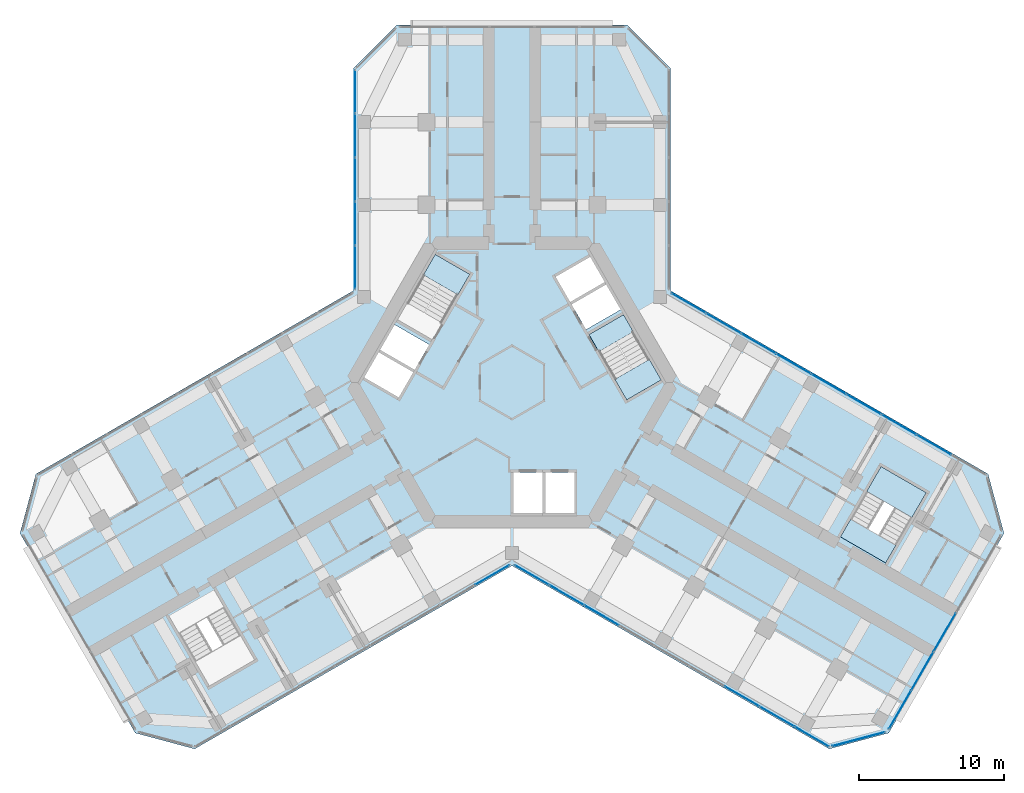
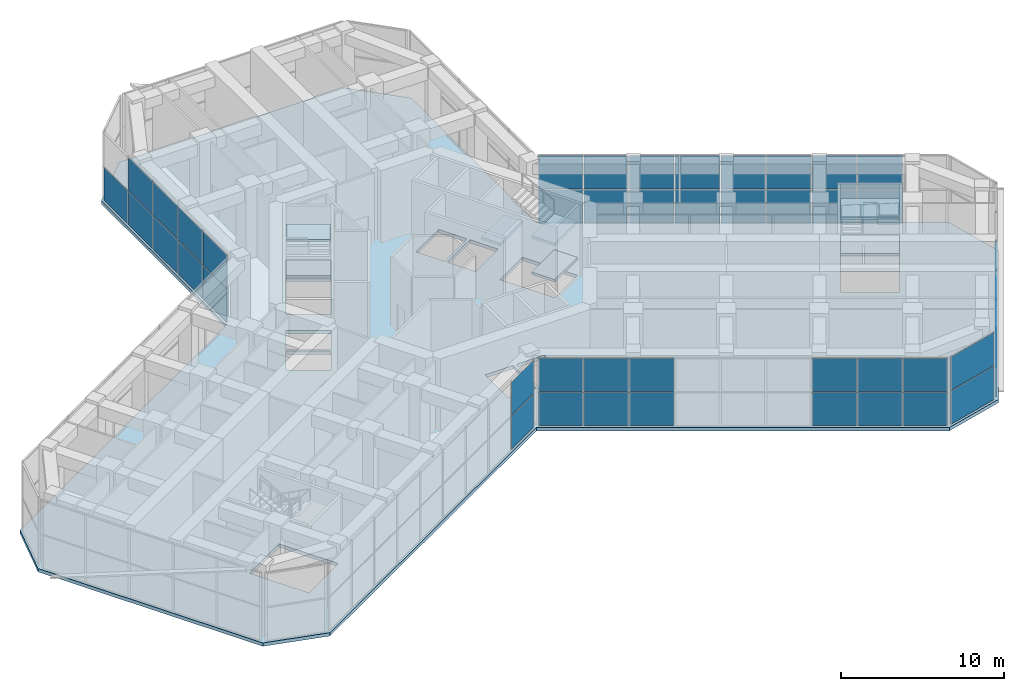
# One storey, part 12 of 20: 47 plates, 9 slabs, 9 elements without a shape of their own.
"""IFC4 building model written with IfcOpenShell, lengths in metres."""

from ifc_helpers import new_model, si_unit, direction, frame, origin, origin_2d, place, context, subcontext, project, spatial, polyline, rectangle, outline, extrude, material, layer, layer_set, type_object, element, aggregate, save


model = new_model("IFC4")

# Units and contexts
model_context = context("Model", 3, precision=1e-05, world=origin(), true_north=direction((0.0, 1.0)))
body_context = subcontext(model_context, "Body", "Model", "MODEL_VIEW")
ifc_project = project(units=[si_unit("LENGTHUNIT", "METRE"), si_unit("AREAUNIT", "SQUARE_METRE"), si_unit("VOLUMEUNIT", "CUBIC_METRE"), si_unit("PLANEANGLEUNIT", "RADIAN"), si_unit("MASSUNIT", "GRAM", prefix="KILO")], contexts=[model_context])

# Site, building, storey
site_placement = place(None, origin())
site = spatial("IfcSite", under=ifc_project, at=site_placement, CompositionType="ELEMENT")
building_placement = place(site_placement, origin())
building = spatial("IfcBuilding", under=site, at=building_placement, Name="Kosmar Iwan School Tower", CompositionType="ELEMENT")
storey_placement = place(building_placement, frame((0.0, 0.0, 152.60009765625)))
storey = spatial("IfcBuildingStorey", under=building, at=storey_placement, Name="L38", CompositionType="ELEMENT", Elevation=152.60009765625)

# Curtain wall, plates
ifc_material_1 = material(Name="Dark glass in black aluminium frame", Category="aluminium")
curtain_wall_type_1 = type_object("IfcCurtainWallType", Name="Winter garden curtain wall", PredefinedType="USERDEFINED", material=ifc_material_1)
curtain_wall_1_placement = place(storey_placement, origin())
curtain_wall_1 = element("IfcCurtainWall", 1, at=curtain_wall_1_placement, inside=storey, type_object=curtain_wall_type_1, Name="Curtain wall L38-F00", ObjectType="WINTER GARDEN CURTAIN WALL", PredefinedType="USERDEFINED")
ifc_material_2 = material(Name="Dark glass", Category="glass")
ifc_layer_1 = layer(ifc_material_2, 0.028076171875)
ifc_layer_set_1 = layer_set([ifc_layer_1], Name="Dark glass panel 28")
plate_type = type_object("IfcPlateType", Name="Dark glass panel 28", PredefinedType="CURTAIN_PANEL", material=ifc_layer_set_1)
plate_1_placement = place(storey_placement, frame((-1.3603515625, -13.284912109375, 0.06005859375), z_axis=(0.0, 0.0, 1.0), x_axis=(-0.866025395189, -0.500000014888, 0.0)))
plate_1 = element("IfcPlate", 2, at=plate_1_placement, type_object=plate_type, Name="CW7 panel 1.1", PredefinedType="CURTAIN_PANEL", context=body_context, shape_type="SweptSolid", body=[
    extrude(rectangle(XDim=2.703369140625, YDim=0.028076171875, at=origin_2d()), origin(), (0.0, 0.0, 1.0), 2.485107421875),
])
plate_2_placement = place(storey_placement, frame((-1.3603515625, -13.284912109375, 2.60498046875), z_axis=(0.0, 0.0, 1.0), x_axis=(-0.866025395189, -0.500000014888, 0.0)))
plate_2 = element("IfcPlate", 3, at=plate_2_placement, type_object=plate_type, Name="CW7 panel 1.2", PredefinedType="CURTAIN_PANEL", context=body_context, shape_type="SweptSolid", body=[
    extrude(rectangle(XDim=2.703369140625, YDim=0.028076171875, at=origin_2d()), origin(), (0.0, 0.0, 1.0), 2.485107421875),
])
aggregate(curtain_wall_1, [plate_1, plate_2])

curtain_wall_2_placement = place(storey_placement, origin())
curtain_wall_2 = element("IfcCurtainWall", 4, at=curtain_wall_2_placement, inside=storey, type_object=curtain_wall_type_1, Name="Curtain wall L38-F01", ObjectType="WINTER GARDEN CURTAIN WALL", PredefinedType="USERDEFINED")
plate_3_placement = place(storey_placement, frame((1.3603515625, -13.284912109375, 0.06005859375), z_axis=(0.0, 0.0, 1.0), x_axis=(0.866025395189, -0.500000014888, 0.0)))
plate_3 = element("IfcPlate", 5, at=plate_3_placement, type_object=plate_type, Name="CW7 panel 1.1", PredefinedType="CURTAIN_PANEL", context=body_context, shape_type="SweptSolid", body=[
    extrude(rectangle(XDim=2.703369140625, YDim=0.028076171875, at=origin_2d()), origin(), (0.0, 0.0, 1.0), 2.485107421875),
])
plate_4_placement = place(storey_placement, frame((1.3603515625, -13.284912109375, 2.60498046875), z_axis=(0.0, 0.0, 1.0), x_axis=(0.866025395189, -0.500000014888, 0.0)))
plate_4 = element("IfcPlate", 6, at=plate_4_placement, type_object=plate_type, Name="CW7 panel 1.2", PredefinedType="CURTAIN_PANEL", context=body_context, shape_type="SweptSolid", body=[
    extrude(rectangle(XDim=2.703369140625, YDim=0.028076171875, at=origin_2d()), origin(), (0.0, 0.0, 1.0), 2.485107421875),
])
plate_5_placement = place(storey_placement, frame((3.766357421875, -14.674072265625, 0.06005859375), z_axis=(0.0, 0.0, 1.0), x_axis=(0.866025395189, -0.500000014888, 0.0)))
plate_5 = element("IfcPlate", 7, at=plate_5_placement, type_object=plate_type, Name="CW7 panel 2.1", PredefinedType="CURTAIN_PANEL", context=body_context, shape_type="SweptSolid", body=[
    extrude(rectangle(XDim=2.733154296875, YDim=0.028076171875, at=origin_2d()), origin(), (0.0, 0.0, 1.0), 2.485107421875),
])
plate_6_placement = place(storey_placement, frame((3.766357421875, -14.674072265625, 2.60498046875), z_axis=(0.0, 0.0, 1.0), x_axis=(0.866025395189, -0.500000014888, 0.0)))
plate_6 = element("IfcPlate", 8, at=plate_6_placement, type_object=plate_type, Name="CW7 panel 2.2", PredefinedType="CURTAIN_PANEL", context=body_context, shape_type="SweptSolid", body=[
    extrude(rectangle(XDim=2.733154296875, YDim=0.028076171875, at=origin_2d()), origin(), (0.0, 0.0, 1.0), 2.485107421875),
])
plate_7_placement = place(storey_placement, frame((6.185302734375, -16.07080078125, 0.06005859375), z_axis=(0.0, 0.0, 1.0), x_axis=(0.866025395189, -0.500000014888, 0.0)))
plate_7 = element("IfcPlate", 9, at=plate_7_placement, type_object=plate_type, Name="CW7 panel 3.1", PredefinedType="CURTAIN_PANEL", context=body_context, shape_type="SweptSolid", body=[
    extrude(rectangle(XDim=2.733154296875, YDim=0.028076171875, at=origin_2d()), origin(), (0.0, 0.0, 1.0), 2.485107421875),
])
plate_8_placement = place(storey_placement, frame((6.185302734375, -16.07080078125, 2.60498046875), z_axis=(0.0, 0.0, 1.0), x_axis=(0.866025395189, -0.500000014888, 0.0)))
plate_8 = element("IfcPlate", 10, at=plate_8_placement, type_object=plate_type, Name="CW7 panel 3.2", PredefinedType="CURTAIN_PANEL", context=body_context, shape_type="SweptSolid", body=[
    extrude(rectangle(XDim=2.733154296875, YDim=0.028076171875, at=origin_2d()), origin(), (0.0, 0.0, 1.0), 2.485107421875),
])
plate_9_placement = place(storey_placement, frame((15.861572265625, -21.6572265625, 0.06005859375), z_axis=(0.0, 0.0, 1.0), x_axis=(0.866025395189, -0.500000014888, 0.0)))
plate_9 = element("IfcPlate", 11, at=plate_9_placement, type_object=plate_type, Name="CW7 panel 7.1", PredefinedType="CURTAIN_PANEL", context=body_context, shape_type="SweptSolid", body=[
    extrude(rectangle(XDim=2.733154296875, YDim=0.028076171875, at=origin_2d()), origin(), (0.0, 0.0, 1.0), 2.485107421875),
])
plate_10_placement = place(storey_placement, frame((15.861572265625, -21.6572265625, 2.60498046875), z_axis=(0.0, 0.0, 1.0), x_axis=(0.866025395189, -0.500000014888, 0.0)))
plate_10 = element("IfcPlate", 12, at=plate_10_placement, type_object=plate_type, Name="CW7 panel 7.2", PredefinedType="CURTAIN_PANEL", context=body_context, shape_type="SweptSolid", body=[
    extrude(rectangle(XDim=2.733154296875, YDim=0.028076171875, at=origin_2d()), origin(), (0.0, 0.0, 1.0), 2.485107421875),
])
plate_11_placement = place(storey_placement, frame((18.280517578125, -23.053955078125, 0.06005859375), z_axis=(0.0, 0.0, 1.0), x_axis=(0.866025395189, -0.500000014888, 0.0)))
plate_11 = element("IfcPlate", 13, at=plate_11_placement, type_object=plate_type, Name="CW7 panel 8.1", PredefinedType="CURTAIN_PANEL", context=body_context, shape_type="SweptSolid", body=[
    extrude(rectangle(XDim=2.733154296875, YDim=0.028076171875, at=origin_2d()), origin(), (0.0, 0.0, 1.0), 2.485107421875),
])
plate_12_placement = place(storey_placement, frame((18.280517578125, -23.053955078125, 2.60498046875), z_axis=(0.0, 0.0, 1.0), x_axis=(0.866025395189, -0.500000014888, 0.0)))
plate_12 = element("IfcPlate", 14, at=plate_12_placement, type_object=plate_type, Name="CW7 panel 8.2", PredefinedType="CURTAIN_PANEL", context=body_context, shape_type="SweptSolid", body=[
    extrude(rectangle(XDim=2.733154296875, YDim=0.028076171875, at=origin_2d()), origin(), (0.0, 0.0, 1.0), 2.485107421875),
])
plate_13_placement = place(storey_placement, frame((20.6865234375, -24.443115234375, 0.06005859375), z_axis=(0.0, 0.0, 1.0), x_axis=(0.866025395189, -0.500000014888, 0.0)))
plate_13 = element("IfcPlate", 15, at=plate_13_placement, type_object=plate_type, Name="CW7 panel 9.1", PredefinedType="CURTAIN_PANEL", context=body_context, shape_type="SweptSolid", body=[
    extrude(rectangle(XDim=2.703369140625, YDim=0.028076171875, at=origin_2d()), origin(), (0.0, 0.0, 1.0), 2.485107421875),
])
plate_14_placement = place(storey_placement, frame((20.6865234375, -24.443115234375, 2.60498046875), z_axis=(0.0, 0.0, 1.0), x_axis=(0.866025395189, -0.500000014888, 0.0)))
plate_14 = element("IfcPlate", 16, at=plate_14_placement, type_object=plate_type, Name="CW7 panel 9.2", PredefinedType="CURTAIN_PANEL", context=body_context, shape_type="SweptSolid", body=[
    extrude(rectangle(XDim=2.703369140625, YDim=0.028076171875, at=origin_2d()), origin(), (0.0, 0.0, 1.0), 2.485107421875),
])
aggregate(curtain_wall_2, [plate_3, plate_4, plate_5, plate_6, plate_7, plate_8, plate_9, plate_10, plate_11, plate_12, plate_13, plate_14])

ifc_material_3 = material(Name="Dark glass in black aluminium frame", Category="aluminium")
curtain_wall_type_2 = type_object("IfcCurtainWallType", Name="Chamfer curtain wall dark glass", PredefinedType="USERDEFINED", material=ifc_material_3)
curtain_wall_3_placement = place(storey_placement, origin())
curtain_wall_3 = element("IfcCurtainWall", 17, at=curtain_wall_3_placement, inside=storey, type_object=curtain_wall_type_2, Name="Curtain wall L38-F02", ObjectType="FACETED CURTAIN WALL", PredefinedType="USERDEFINED")
plate_15_placement = place(storey_placement, frame((23.908203125, -24.61328125, 0.06005859375), z_axis=(0.0, 0.0, 1.0), x_axis=(0.965925875495, 0.258818861462, 0.0)))
plate_15 = element("IfcPlate", 18, at=plate_15_placement, type_object=plate_type, Name="CW2 panel 1.1", PredefinedType="CURTAIN_PANEL", context=body_context, shape_type="SweptSolid", body=[
    extrude(rectangle(XDim=3.718994140625, YDim=0.028076171875, at=origin_2d()), origin(), (0.0, 0.0, 1.0), 2.485107421875),
])
plate_16_placement = place(storey_placement, frame((23.908203125, -24.61328125, 2.60498046875), z_axis=(0.0, 0.0, 1.0), x_axis=(0.965925875495, 0.258818861462, 0.0)))
plate_16 = element("IfcPlate", 19, at=plate_16_placement, type_object=plate_type, Name="CW2 panel 1.2", PredefinedType="CURTAIN_PANEL", context=body_context, shape_type="SweptSolid", body=[
    extrude(rectangle(XDim=3.718994140625, YDim=0.028076171875, at=origin_2d()), origin(), (0.0, 0.0, 1.0), 2.485107421875),
])
aggregate(curtain_wall_3, [plate_15, plate_16])

ifc_material_4 = material(Name="Dark glass in black aluminium frame", Category="aluminium")
curtain_wall_type_3 = type_object("IfcCurtainWallType", Name="Tower curtain wall dark glass", PredefinedType="USERDEFINED", material=ifc_material_4)
curtain_wall_4_placement = place(storey_placement, origin())
curtain_wall_4 = element("IfcCurtainWall", 20, at=curtain_wall_4_placement, inside=storey, type_object=curtain_wall_type_3, Name="Curtain wall L38-F03", ObjectType="UNITISED CURTAIN WALL", PredefinedType="USERDEFINED")
plate_17_placement = place(storey_placement, frame((26.764404296875, -22.592529296875, 0.06005859375), z_axis=(0.0, 0.0, 1.0), x_axis=(0.499999997325, 0.866025405329, 0.0)))
plate_17 = element("IfcPlate", 21, at=plate_17_placement, type_object=plate_type, Name="CW1 panel 1.1", PredefinedType="CURTAIN_PANEL", context=body_context, shape_type="SweptSolid", body=[
    extrude(rectangle(XDim=3.00927734375, YDim=0.028076171875, at=origin_2d()), origin(), (0.0, 0.0, 1.0), 2.485107421875),
])
plate_18_placement = place(storey_placement, frame((26.764404296875, -22.592529296875, 2.60498046875), z_axis=(0.0, 0.0, 1.0), x_axis=(0.499999997325, 0.866025405329, 0.0)))
plate_18 = element("IfcPlate", 22, at=plate_18_placement, type_object=plate_type, Name="CW1 panel 1.2", PredefinedType="CURTAIN_PANEL", context=body_context, shape_type="SweptSolid", body=[
    extrude(rectangle(XDim=3.00927734375, YDim=0.028076171875, at=origin_2d()), origin(), (0.0, 0.0, 1.0), 2.485107421875),
])
plate_19_placement = place(storey_placement, frame((28.306640625, -19.921630859375, 0.06005859375), z_axis=(0.0, 0.0, 1.0), x_axis=(0.499999997325, 0.866025405329, 0.0)))
plate_19 = element("IfcPlate", 23, at=plate_19_placement, type_object=plate_type, Name="CW1 panel 2.1", PredefinedType="CURTAIN_PANEL", context=body_context, shape_type="SweptSolid", body=[
    extrude(rectangle(XDim=3.039306640625, YDim=0.028076171875, at=origin_2d()), origin(), (0.0, 0.0, 1.0), 2.485107421875),
])
plate_20_placement = place(storey_placement, frame((28.306640625, -19.921630859375, 2.60498046875), z_axis=(0.0, 0.0, 1.0), x_axis=(0.499999997325, 0.866025405329, 0.0)))
plate_20 = element("IfcPlate", 24, at=plate_20_placement, type_object=plate_type, Name="CW1 panel 2.2", PredefinedType="CURTAIN_PANEL", context=body_context, shape_type="SweptSolid", body=[
    extrude(rectangle(XDim=3.039306640625, YDim=0.028076171875, at=origin_2d()), origin(), (0.0, 0.0, 1.0), 2.485107421875),
])
plate_21_placement = place(storey_placement, frame((29.856201171875, -17.237548828125, 0.06005859375), z_axis=(0.0, 0.0, 1.0), x_axis=(0.499999997325, 0.866025405329, 0.0)))
plate_21 = element("IfcPlate", 25, at=plate_21_placement, type_object=plate_type, Name="CW1 panel 3.1", PredefinedType="CURTAIN_PANEL", context=body_context, shape_type="SweptSolid", body=[
    extrude(rectangle(XDim=3.039306640625, YDim=0.028076171875, at=origin_2d()), origin(), (0.0, 0.0, 1.0), 2.485107421875),
])
plate_22_placement = place(storey_placement, frame((29.856201171875, -17.237548828125, 2.60498046875), z_axis=(0.0, 0.0, 1.0), x_axis=(0.499999997325, 0.866025405329, 0.0)))
plate_22 = element("IfcPlate", 26, at=plate_22_placement, type_object=plate_type, Name="CW1 panel 3.2", PredefinedType="CURTAIN_PANEL", context=body_context, shape_type="SweptSolid", body=[
    extrude(rectangle(XDim=3.039306640625, YDim=0.028076171875, at=origin_2d()), origin(), (0.0, 0.0, 1.0), 2.485107421875),
])
aggregate(curtain_wall_4, [plate_17, plate_18, plate_19, plate_20, plate_21, plate_22])

curtain_wall_5_placement = place(storey_placement, origin())
curtain_wall_5 = element("IfcCurtainWall", 27, at=curtain_wall_5_placement, inside=storey, type_object=curtain_wall_type_1, Name="Curtain wall L38-F05", ObjectType="WINTER GARDEN CURTAIN WALL", PredefinedType="USERDEFINED")
plate_23_placement = place(storey_placement, frame((12.185302734375, 5.46435546875, 0.06005859375), z_axis=(0.0, 0.0, 1.0), x_axis=(0.866025395189, -0.500000014888, 0.0)))
plate_23 = element("IfcPlate", 28, at=plate_23_placement, type_object=plate_type, Name="CW7 panel 1.1", PredefinedType="CURTAIN_PANEL", context=body_context, shape_type="SweptSolid", body=[
    extrude(rectangle(XDim=2.703369140625, YDim=0.028076171875, at=origin_2d()), origin(), (0.0, 0.0, 1.0), 2.485107421875),
])
plate_24_placement = place(storey_placement, frame((12.185302734375, 5.46435546875, 2.60498046875), z_axis=(0.0, 0.0, 1.0), x_axis=(0.866025395189, -0.500000014888, 0.0)))
plate_24 = element("IfcPlate", 29, at=plate_24_placement, type_object=plate_type, Name="CW7 panel 1.2", PredefinedType="CURTAIN_PANEL", context=body_context, shape_type="SweptSolid", body=[
    extrude(rectangle(XDim=2.703369140625, YDim=0.028076171875, at=origin_2d()), origin(), (0.0, 0.0, 1.0), 2.485107421875),
])
plate_25_placement = place(storey_placement, frame((14.59130859375, 4.0751953125, 0.06005859375), z_axis=(0.0, 0.0, 1.0), x_axis=(0.866025395189, -0.500000014888, 0.0)))
plate_25 = element("IfcPlate", 30, at=plate_25_placement, type_object=plate_type, Name="CW7 panel 2.1", PredefinedType="CURTAIN_PANEL", context=body_context, shape_type="SweptSolid", body=[
    extrude(rectangle(XDim=2.733154296875, YDim=0.028076171875, at=origin_2d()), origin(), (0.0, 0.0, 1.0), 2.485107421875),
])
plate_26_placement = place(storey_placement, frame((14.59130859375, 4.0751953125, 2.60498046875), z_axis=(0.0, 0.0, 1.0), x_axis=(0.866025395189, -0.500000014888, 0.0)))
plate_26 = element("IfcPlate", 31, at=plate_26_placement, type_object=plate_type, Name="CW7 panel 2.2", PredefinedType="CURTAIN_PANEL", context=body_context, shape_type="SweptSolid", body=[
    extrude(rectangle(XDim=2.733154296875, YDim=0.028076171875, at=origin_2d()), origin(), (0.0, 0.0, 1.0), 2.485107421875),
])
plate_27_placement = place(storey_placement, frame((17.010498046875, 2.6787109375, 0.06005859375), z_axis=(0.0, 0.0, 1.0), x_axis=(0.866025395189, -0.500000014888, 0.0)))
plate_27 = element("IfcPlate", 32, at=plate_27_placement, type_object=plate_type, Name="CW7 panel 3.1", PredefinedType="CURTAIN_PANEL", context=body_context, shape_type="SweptSolid", body=[
    extrude(rectangle(XDim=2.733154296875, YDim=0.028076171875, at=origin_2d()), origin(), (0.0, 0.0, 1.0), 2.485107421875),
])
plate_28_placement = place(storey_placement, frame((17.010498046875, 2.6787109375, 2.60498046875), z_axis=(0.0, 0.0, 1.0), x_axis=(0.866025395189, -0.500000014888, 0.0)))
plate_28 = element("IfcPlate", 33, at=plate_28_placement, type_object=plate_type, Name="CW7 panel 3.2", PredefinedType="CURTAIN_PANEL", context=body_context, shape_type="SweptSolid", body=[
    extrude(rectangle(XDim=2.733154296875, YDim=0.028076171875, at=origin_2d()), origin(), (0.0, 0.0, 1.0), 2.485107421875),
])
plate_29_placement = place(storey_placement, frame((19.429443359375, 1.281982421875, 0.06005859375), z_axis=(0.0, 0.0, 1.0), x_axis=(0.866025395189, -0.500000014888, 0.0)))
plate_29 = element("IfcPlate", 34, at=plate_29_placement, type_object=plate_type, Name="CW7 panel 4.1", PredefinedType="CURTAIN_PANEL", context=body_context, shape_type="SweptSolid", body=[
    extrude(rectangle(XDim=2.733154296875, YDim=0.028076171875, at=origin_2d()), origin(), (0.0, 0.0, 1.0), 2.485107421875),
])
plate_30_placement = place(storey_placement, frame((19.429443359375, 1.281982421875, 2.60498046875), z_axis=(0.0, 0.0, 1.0), x_axis=(0.866025395189, -0.500000014888, 0.0)))
plate_30 = element("IfcPlate", 35, at=plate_30_placement, type_object=plate_type, Name="CW7 panel 4.2", PredefinedType="CURTAIN_PANEL", context=body_context, shape_type="SweptSolid", body=[
    extrude(rectangle(XDim=2.733154296875, YDim=0.028076171875, at=origin_2d()), origin(), (0.0, 0.0, 1.0), 2.485107421875),
])
plate_31_placement = place(storey_placement, frame((21.848388671875, -0.114501953125, 0.06005859375), z_axis=(0.0, 0.0, 1.0), x_axis=(0.866025395189, -0.500000014888, 0.0)))
plate_31 = element("IfcPlate", 36, at=plate_31_placement, type_object=plate_type, Name="CW7 panel 5.1", PredefinedType="CURTAIN_PANEL", context=body_context, shape_type="SweptSolid", body=[
    extrude(rectangle(XDim=2.733154296875, YDim=0.028076171875, at=origin_2d()), origin(), (0.0, 0.0, 1.0), 2.485107421875),
])
plate_32_placement = place(storey_placement, frame((21.848388671875, -0.114501953125, 2.60498046875), z_axis=(0.0, 0.0, 1.0), x_axis=(0.866025395189, -0.500000014888, 0.0)))
plate_32 = element("IfcPlate", 37, at=plate_32_placement, type_object=plate_type, Name="CW7 panel 5.2", PredefinedType="CURTAIN_PANEL", context=body_context, shape_type="SweptSolid", body=[
    extrude(rectangle(XDim=2.733154296875, YDim=0.028076171875, at=origin_2d()), origin(), (0.0, 0.0, 1.0), 2.485107421875),
])
plate_33_placement = place(storey_placement, frame((24.267578125, -1.51123046875, 0.06005859375), z_axis=(0.0, 0.0, 1.0), x_axis=(0.866025395189, -0.500000014888, 0.0)))
plate_33 = element("IfcPlate", 38, at=plate_33_placement, type_object=plate_type, Name="CW7 panel 6.1", PredefinedType="CURTAIN_PANEL", context=body_context, shape_type="SweptSolid", body=[
    extrude(rectangle(XDim=2.733154296875, YDim=0.028076171875, at=origin_2d()), origin(), (0.0, 0.0, 1.0), 2.485107421875),
])
plate_34_placement = place(storey_placement, frame((24.267578125, -1.51123046875, 2.60498046875), z_axis=(0.0, 0.0, 1.0), x_axis=(0.866025395189, -0.500000014888, 0.0)))
plate_34 = element("IfcPlate", 39, at=plate_34_placement, type_object=plate_type, Name="CW7 panel 6.2", PredefinedType="CURTAIN_PANEL", context=body_context, shape_type="SweptSolid", body=[
    extrude(rectangle(XDim=2.733154296875, YDim=0.028076171875, at=origin_2d()), origin(), (0.0, 0.0, 1.0), 2.485107421875),
])
plate_35_placement = place(storey_placement, frame((26.6865234375, -2.90771484375, 0.06005859375), z_axis=(0.0, 0.0, 1.0), x_axis=(0.866025395189, -0.500000014888, 0.0)))
plate_35 = element("IfcPlate", 40, at=plate_35_placement, type_object=plate_type, Name="CW7 panel 7.1", PredefinedType="CURTAIN_PANEL", context=body_context, shape_type="SweptSolid", body=[
    extrude(rectangle(XDim=2.733154296875, YDim=0.028076171875, at=origin_2d()), origin(), (0.0, 0.0, 1.0), 2.485107421875),
])
plate_36_placement = place(storey_placement, frame((26.6865234375, -2.90771484375, 2.60498046875), z_axis=(0.0, 0.0, 1.0), x_axis=(0.866025395189, -0.500000014888, 0.0)))
plate_36 = element("IfcPlate", 41, at=plate_36_placement, type_object=plate_type, Name="CW7 panel 7.2", PredefinedType="CURTAIN_PANEL", context=body_context, shape_type="SweptSolid", body=[
    extrude(rectangle(XDim=2.733154296875, YDim=0.028076171875, at=origin_2d()), origin(), (0.0, 0.0, 1.0), 2.485107421875),
])
plate_37_placement = place(storey_placement, frame((29.10546875, -4.304443359375, 0.06005859375), z_axis=(0.0, 0.0, 1.0), x_axis=(0.866025395189, -0.500000014888, 0.0)))
plate_37 = element("IfcPlate", 42, at=plate_37_placement, type_object=plate_type, Name="CW7 panel 8.1", PredefinedType="CURTAIN_PANEL", context=body_context, shape_type="SweptSolid", body=[
    extrude(rectangle(XDim=2.733154296875, YDim=0.028076171875, at=origin_2d()), origin(), (0.0, 0.0, 1.0), 2.485107421875),
])
plate_38_placement = place(storey_placement, frame((29.10546875, -4.304443359375, 2.60498046875), z_axis=(0.0, 0.0, 1.0), x_axis=(0.866025395189, -0.500000014888, 0.0)))
plate_38 = element("IfcPlate", 43, at=plate_38_placement, type_object=plate_type, Name="CW7 panel 8.2", PredefinedType="CURTAIN_PANEL", context=body_context, shape_type="SweptSolid", body=[
    extrude(rectangle(XDim=2.733154296875, YDim=0.028076171875, at=origin_2d()), origin(), (0.0, 0.0, 1.0), 2.485107421875),
])
aggregate(curtain_wall_5, [plate_23, plate_24, plate_25, plate_26, plate_27, plate_28, plate_29, plate_30, plate_31, plate_32, plate_33, plate_34, plate_35, plate_36, plate_37, plate_38])

curtain_wall_6_placement = place(storey_placement, origin())
curtain_wall_6 = element("IfcCurtainWall", 44, at=curtain_wall_6_placement, inside=storey, type_object=curtain_wall_type_1, Name="Curtain wall L38-F10", ObjectType="WINTER GARDEN CURTAIN WALL", PredefinedType="USERDEFINED")
plate_39_placement = place(storey_placement, frame((-10.824951171875, 7.94287109375, 0.06005859375), z_axis=(0.0, 0.0, 1.0), x_axis=(0.0, 1.0, 0.0)))
plate_39 = element("IfcPlate", 45, at=plate_39_placement, type_object=plate_type, Name="CW7 panel 1.1", PredefinedType="CURTAIN_PANEL", context=body_context, shape_type="SweptSolid", body=[
    extrude(rectangle(XDim=2.94775390625, YDim=0.028076171875, at=origin_2d()), origin(), (0.0, 0.0, 1.0), 2.485107421875),
])
plate_40_placement = place(storey_placement, frame((-10.824951171875, 7.94287109375, 2.60498046875), z_axis=(0.0, 0.0, 1.0), x_axis=(0.0, 1.0, 0.0)))
plate_40 = element("IfcPlate", 46, at=plate_40_placement, type_object=plate_type, Name="CW7 panel 1.2", PredefinedType="CURTAIN_PANEL", context=body_context, shape_type="SweptSolid", body=[
    extrude(rectangle(XDim=2.94775390625, YDim=0.028076171875, at=origin_2d()), origin(), (0.0, 0.0, 1.0), 2.485107421875),
])
plate_41_placement = place(storey_placement, frame((-10.824951171875, 10.9658203125, 0.06005859375), z_axis=(0.0, 0.0, 1.0), x_axis=(0.0, 1.0, 0.0)))
plate_41 = element("IfcPlate", 47, at=plate_41_placement, type_object=plate_type, Name="CW7 panel 2.1", PredefinedType="CURTAIN_PANEL", context=body_context, shape_type="SweptSolid", body=[
    extrude(rectangle(XDim=2.977783203125, YDim=0.028076171875, at=origin_2d()), origin(), (0.0, 0.0, 1.0), 2.485107421875),
])
plate_42_placement = place(storey_placement, frame((-10.824951171875, 10.9658203125, 2.60498046875), z_axis=(0.0, 0.0, 1.0), x_axis=(0.0, 1.0, 0.0)))
plate_42 = element("IfcPlate", 48, at=plate_42_placement, type_object=plate_type, Name="CW7 panel 2.2", PredefinedType="CURTAIN_PANEL", context=body_context, shape_type="SweptSolid", body=[
    extrude(rectangle(XDim=2.977783203125, YDim=0.028076171875, at=origin_2d()), origin(), (0.0, 0.0, 1.0), 2.485107421875),
])
plate_43_placement = place(storey_placement, frame((-10.824951171875, 14.003662109375, 0.06005859375), z_axis=(0.0, 0.0, 1.0), x_axis=(0.0, 1.0, 0.0)))
plate_43 = element("IfcPlate", 49, at=plate_43_placement, type_object=plate_type, Name="CW7 panel 3.1", PredefinedType="CURTAIN_PANEL", context=body_context, shape_type="SweptSolid", body=[
    extrude(rectangle(XDim=2.977783203125, YDim=0.028076171875, at=origin_2d()), origin(), (0.0, 0.0, 1.0), 2.485107421875),
])
plate_44_placement = place(storey_placement, frame((-10.824951171875, 14.003662109375, 2.60498046875), z_axis=(0.0, 0.0, 1.0), x_axis=(0.0, 1.0, 0.0)))
plate_44 = element("IfcPlate", 50, at=plate_44_placement, type_object=plate_type, Name="CW7 panel 3.2", PredefinedType="CURTAIN_PANEL", context=body_context, shape_type="SweptSolid", body=[
    extrude(rectangle(XDim=2.977783203125, YDim=0.028076171875, at=origin_2d()), origin(), (0.0, 0.0, 1.0), 2.485107421875),
])
plate_45_placement = place(storey_placement, frame((-10.824951171875, 17.04150390625, 0.06005859375), z_axis=(0.0, 0.0, 1.0), x_axis=(0.0, 1.0, 0.0)))
plate_45 = element("IfcPlate", 51, at=plate_45_placement, type_object=plate_type, Name="CW7 panel 4.1", PredefinedType="CURTAIN_PANEL", context=body_context, shape_type="SweptSolid", body=[
    extrude(rectangle(XDim=2.977783203125, YDim=0.028076171875, at=origin_2d()), origin(), (0.0, 0.0, 1.0), 2.485107421875),
])
plate_46_placement = place(storey_placement, frame((-10.824951171875, 17.04150390625, 2.60498046875), z_axis=(0.0, 0.0, 1.0), x_axis=(0.0, 1.0, 0.0)))
plate_46 = element("IfcPlate", 52, at=plate_46_placement, type_object=plate_type, Name="CW7 panel 4.2", PredefinedType="CURTAIN_PANEL", context=body_context, shape_type="SweptSolid", body=[
    extrude(rectangle(XDim=2.977783203125, YDim=0.028076171875, at=origin_2d()), origin(), (0.0, 0.0, 1.0), 2.485107421875),
])
plate_47_placement = place(storey_placement, frame((-10.824951171875, 20.064208984375, 0.06005859375), z_axis=(0.0, 0.0, 1.0), x_axis=(0.0, 1.0, 0.0)))
plate_47 = element("IfcPlate", 53, at=plate_47_placement, type_object=plate_type, Name="CW7 panel 5.1", PredefinedType="CURTAIN_PANEL", context=body_context, shape_type="SweptSolid", body=[
    extrude(rectangle(XDim=2.94775390625, YDim=0.028076171875, at=origin_2d()), origin(), (0.0, 0.0, 1.0), 2.485107421875),
])
aggregate(curtain_wall_6, [plate_39, plate_40, plate_41, plate_42, plate_43, plate_44, plate_45, plate_46, plate_47])

# Stair, slabs
ifc_material_5 = material(Name="Concrete C35/45", Category="concrete")
stair_type_1 = type_object("IfcStairType", Name="Escape stair 3600", PredefinedType="HALF_TURN_STAIR", material=ifc_material_5)
stair_1_placement = place(storey_placement, origin())
stair_1 = element("IfcStair", 54, at=stair_1_placement, inside=storey, type_object=stair_type_1, Name="Stair WS3 L38", PredefinedType="HALF_TURN_STAIR")
ifc_material_6 = material(Name="Concrete C35/45", Category="concrete")
ifc_layer_2 = layer(ifc_material_6, 0.199951171875)
ifc_layer_set_2 = layer_set([ifc_layer_2], Name="Escape stair landing 200")
slab_type_1 = type_object("IfcSlabType", Name="Escape stair landing 200", PredefinedType="LANDING", material=ifc_layer_set_2)
slab_1_placement = place(storey_placement, frame((0.0, 0.0, 1.14990234375)))
slab_1 = element("IfcSlab", 55, at=slab_1_placement, type_object=slab_type_1, Name="WS3 landing 1", PredefinedType="LANDING", context=body_context, shape_type="SweptSolid", body=[
    extrude(outline(polyline([(24.46728515625, -7.521240234375), (27.5849609375, -9.3212890625), (28.574951171875, -7.606689453125), (25.457275390625, -5.806640625), (24.46728515625, -7.521240234375)])), origin(), (0.0, 0.0, 1.0), 0.199951171875),
])
slab_2_placement = place(storey_placement, frame((0.0, 0.0, 2.5)))
slab_2 = element("IfcSlab", 56, at=slab_2_placement, type_object=slab_type_1, Name="WS3 landing 2", PredefinedType="LANDING", context=body_context, shape_type="SweptSolid", body=[
    extrude(outline(polyline([(22.6572265625, -10.65625), (25.775146484375, -12.456298828125), (26.485107421875, -11.2265625), (23.367431640625, -9.426513671875), (22.6572265625, -10.65625)])), origin(), (0.0, 0.0, 1.0), 0.199951171875),
])
slab_3_placement = place(storey_placement, frame((0.0, 0.0, 3.849853515625)))
slab_3 = element("IfcSlab", 57, at=slab_3_placement, type_object=slab_type_1, Name="WS3 landing 3", PredefinedType="LANDING", context=body_context, shape_type="SweptSolid", body=[
    extrude(outline(polyline([(24.46728515625, -7.521240234375), (27.5849609375, -9.3212890625), (28.574951171875, -7.606689453125), (25.457275390625, -5.806640625), (24.46728515625, -7.521240234375)])), origin(), (0.0, 0.0, 1.0), 0.199951171875),
])
aggregate(stair_1, [slab_1, slab_2, slab_3])

# Slab
ifc_material_7 = material(Name="Concrete C35/45", Category="concrete")
ifc_layer_3 = layer(ifc_material_7, 0.25)
ifc_layer_set_3 = layer_set([ifc_layer_3], Name="Floor slab 250")
slab_type_2 = type_object("IfcSlabType", Name="Floor slab 250", PredefinedType="FLOOR", material=ifc_layer_set_3)
slab_4_placement = place(storey_placement, frame((0.0, 0.0, -0.25)))
element("IfcSlab", 58, at=slab_4_placement, inside=storey, type_object=slab_type_2, Name="L38 floor slab", PredefinedType="FLOOR", context=body_context, shape_type="SweptSolid", body=[
    extrude(outline(polyline([(-21.891357421875, -25.282958984375), (0.0, -12.64404296875), (21.891357421875, -25.282958984375), (25.989501953125, -24.184814453125), (33.939453125, -10.4150390625), (32.84130859375, -6.317138671875), (10.949951171875, 6.322021484375), (10.949951171875, 21.64990234375), (7.949951171875, 24.64990234375), (-7.949951171875, 24.64990234375), (-10.949951171875, 21.64990234375), (-10.949951171875, 6.322021484375), (-32.84130859375, -6.317138671875), (-33.939453125, -10.4150390625), (-25.989501953125, -24.184814453125), (-21.891357421875, -25.282958984375)]), holes=[polyline([(7.91259765625, -1.205078125), (10.294189453125, 0.169921875), (8.3642578125, 3.5126953125), (5.982666015625, 2.1376953125), (7.91259765625, -1.205078125)]), polyline([(-2.91259765625, 7.455078125), (-5.294189453125, 8.830078125), (-7.22412109375, 5.4873046875), (-4.8427734375, 4.1123046875), (-2.91259765625, 7.455078125)]), polyline([(-5.712646484375, 2.60546875), (-8.09423828125, 3.98046875), (-9.09423828125, 2.248291015625), (-6.712646484375, 0.873291015625), (-5.712646484375, 2.60546875)]), polyline([(-6.812744140625, 0.7001953125), (-9.1943359375, 2.0751953125), (-10.1943359375, 0.343017578125), (-7.812744140625, -1.031982421875), (-6.812744140625, 0.7001953125)]), polyline([(5.112548828125, 3.64453125), (7.494140625, 5.01953125), (6.494140625, 6.751708984375), (4.112548828125, 5.376708984375), (5.112548828125, 3.64453125)]), polyline([(4.0126953125, 5.5498046875), (6.394287109375, 6.9248046875), (5.394287109375, 8.656982421875), (3.0126953125, 7.281982421875), (4.0126953125, 5.5498046875)]), polyline([(0.10009765625, -6.199951171875), (0.10009765625, -9.0), (2.10009765625, -9.0), (2.10009765625, -6.199951171875), (0.10009765625, -6.199951171875)]), polyline([(2.300048828125, -6.199951171875), (2.300048828125, -9.0), (4.300048828125, -9.0), (4.300048828125, -6.199951171875), (2.300048828125, -6.199951171875)]), polyline([(-19.847412109375, -15.5234375), (-22.965087890625, -17.323486328125), (-20.875, -20.943359375), (-17.75732421875, -19.143310546875), (-19.847412109375, -15.5234375)]), polyline([(23.367431640625, -9.426513671875), (26.485107421875, -11.2265625), (28.574951171875, -7.606689453125), (25.457275390625, -5.806640625), (23.367431640625, -9.426513671875)])]), origin(), (0.0, 0.0, 1.0), 0.25),
])

# Stair, slabs
ifc_material_8 = material(Name="Concrete C35/45", Category="concrete")
stair_type_2 = type_object("IfcStairType", Name="Core stair 2750", PredefinedType="HALF_TURN_STAIR", material=ifc_material_8)
stair_2_placement = place(storey_placement, origin())
stair_2 = element("IfcStair", 59, at=stair_2_placement, inside=storey, type_object=stair_type_2, Name="Stair ST2 L38", PredefinedType="HALF_TURN_STAIR")
ifc_material_9 = material(Name="Concrete C35/45", Category="concrete")
ifc_layer_4 = layer(ifc_material_9, 0.199951171875)
ifc_layer_set_4 = layer_set([ifc_layer_4], Name="Stair landing 200")
slab_type_3 = type_object("IfcSlabType", Name="Stair landing 200", PredefinedType="LANDING", material=ifc_layer_set_4)
slab_5_placement = place(storey_placement, frame((0.0, 0.0, 1.14990234375)))
slab_5 = element("IfcSlab", 60, at=slab_5_placement, type_object=slab_type_3, Name="ST2 landing 1", PredefinedType="LANDING", context=body_context, shape_type="SweptSolid", body=[
    extrude(outline(polyline([(-2.91259765625, 7.455078125), (-5.294189453125, 8.830078125), (-6.1142578125, 7.409912109375), (-3.732666015625, 6.034912109375), (-2.91259765625, 7.455078125)])), origin(), (0.0, 0.0, 1.0), 0.199951171875),
])
slab_6_placement = place(storey_placement, frame((0.0, 0.0, 3.849853515625)))
slab_6 = element("IfcSlab", 61, at=slab_6_placement, type_object=slab_type_3, Name="ST2 landing 3", PredefinedType="LANDING", context=body_context, shape_type="SweptSolid", body=[
    extrude(outline(polyline([(-2.91259765625, 7.455078125), (-5.294189453125, 8.830078125), (-6.1142578125, 7.409912109375), (-3.732666015625, 6.034912109375), (-2.91259765625, 7.455078125)])), origin(), (0.0, 0.0, 1.0), 0.199951171875),
])
aggregate(stair_2, [slab_5, slab_6])

stair_3_placement = place(storey_placement, origin())
stair_3 = element("IfcStair", 62, at=stair_3_placement, inside=storey, type_object=stair_type_2, Name="Stair ST1 L38", PredefinedType="HALF_TURN_STAIR")
slab_7_placement = place(storey_placement, frame((0.0, 0.0, 1.14990234375)))
slab_7 = element("IfcSlab", 63, at=slab_7_placement, type_object=slab_type_3, Name="ST1 landing 1", PredefinedType="LANDING", context=body_context, shape_type="SweptSolid", body=[
    extrude(outline(polyline([(7.91259765625, -1.205078125), (10.294189453125, 0.169921875), (9.47412109375, 1.590087890625), (7.0927734375, 0.215087890625), (7.91259765625, -1.205078125)])), origin(), (0.0, 0.0, 1.0), 0.199951171875),
])
slab_8_placement = place(storey_placement, frame((0.0, 0.0, 2.5)))
slab_8 = element("IfcSlab", 64, at=slab_8_placement, type_object=slab_type_3, Name="ST1 landing 2", PredefinedType="LANDING", context=body_context, shape_type="SweptSolid", body=[
    extrude(outline(polyline([(5.99267578125, 2.120361328125), (8.374267578125, 3.495361328125), (7.6943359375, 4.673095703125), (5.312744140625, 3.298095703125), (5.99267578125, 2.120361328125)])), origin(), (0.0, 0.0, 1.0), 0.199951171875),
])
slab_9_placement = place(storey_placement, frame((0.0, 0.0, 3.849853515625)))
slab_9 = element("IfcSlab", 65, at=slab_9_placement, type_object=slab_type_3, Name="ST1 landing 3", PredefinedType="LANDING", context=body_context, shape_type="SweptSolid", body=[
    extrude(outline(polyline([(7.91259765625, -1.205078125), (10.294189453125, 0.169921875), (9.47412109375, 1.590087890625), (7.0927734375, 0.215087890625), (7.91259765625, -1.205078125)])), origin(), (0.0, 0.0, 1.0), 0.199951171875),
])
aggregate(stair_3, [slab_7, slab_8, slab_9])

save(model, "model.ifc")
